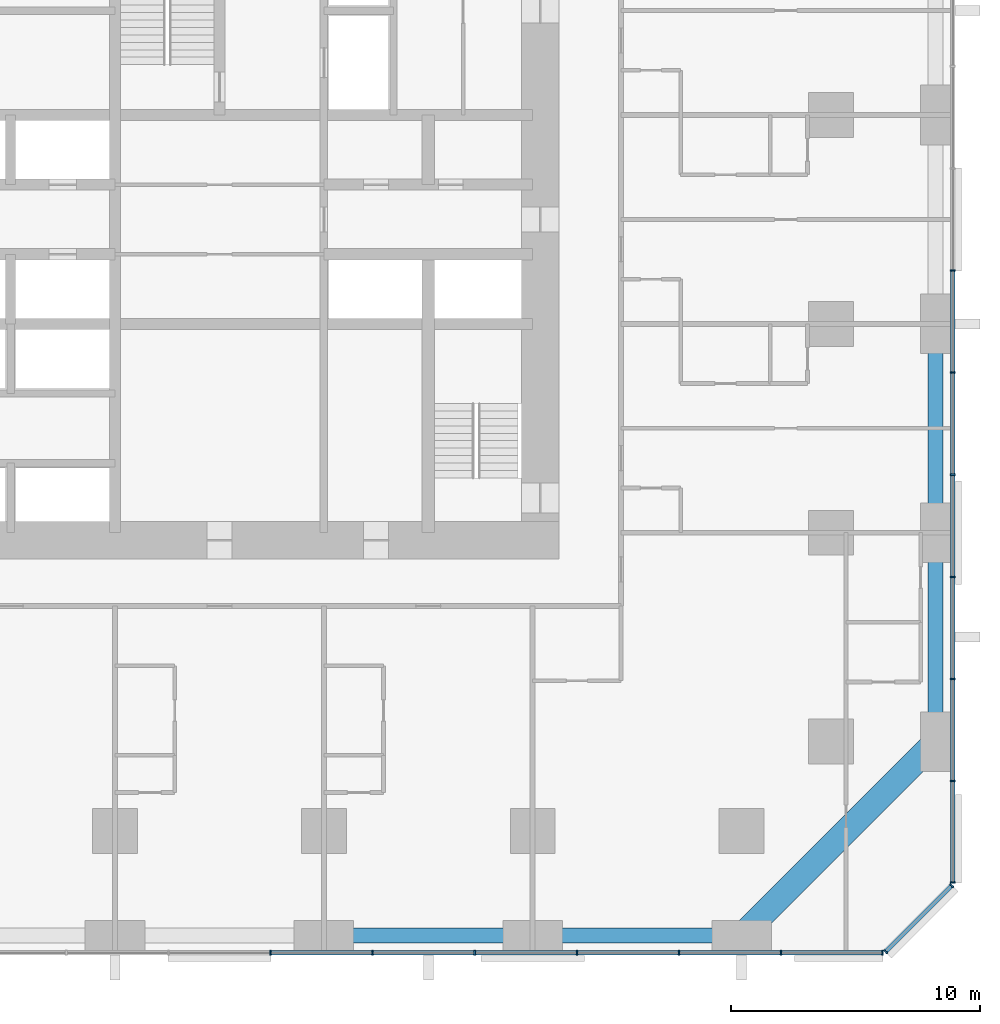
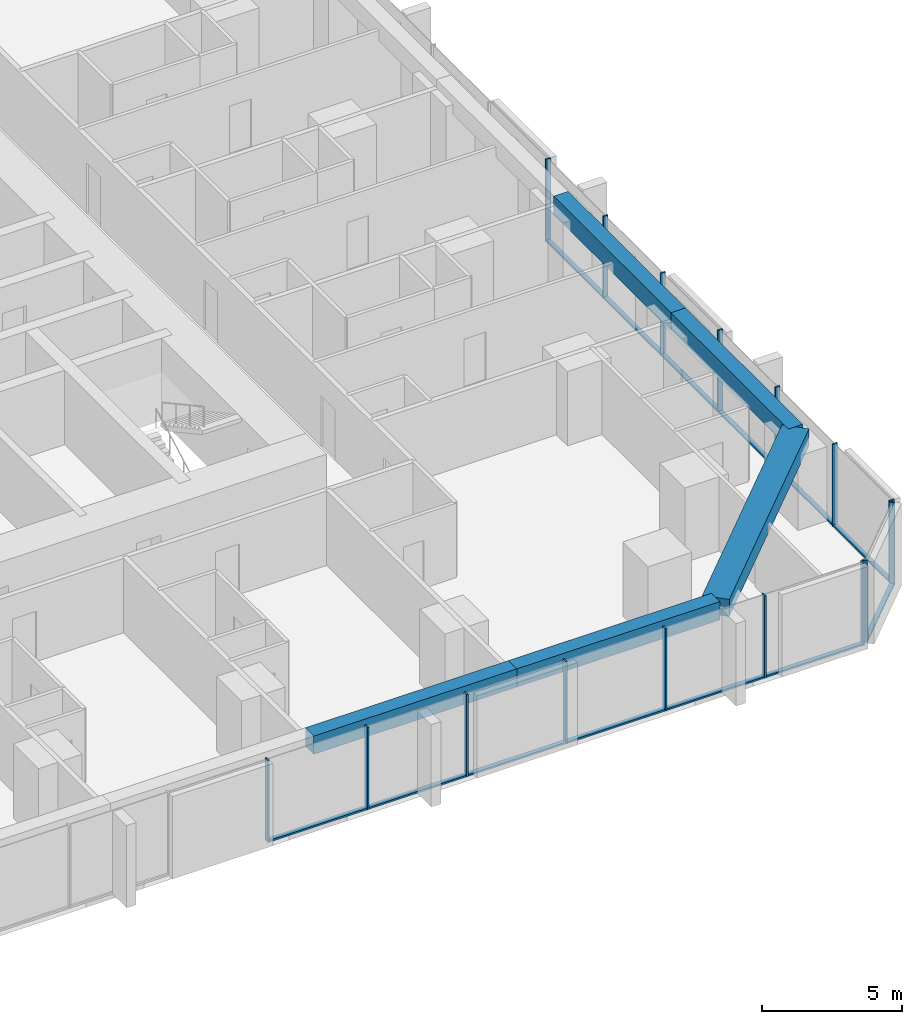
# One storey, part 4 of 17: 29 members, 5 beams, 3 elements without a shape of their own.
"""IFC4 building model written with IfcOpenShell, lengths in metres."""

from ifc_helpers import new_model, si_unit, direction, frame, origin, origin_2d, place, context, subcontext, project, spatial, rectangle, extrude, material, material_profile, profile_set, type_object, element, aggregate, save


model = new_model("IFC4")

# Units and contexts
model_context = context("Model", 3, precision=1e-05, world=origin(), true_north=direction((0.0, 1.0)))
body_context = subcontext(model_context, "Body", "Model", "MODEL_VIEW")
ifc_project = project(units=[si_unit("LENGTHUNIT", "METRE"), si_unit("AREAUNIT", "SQUARE_METRE"), si_unit("VOLUMEUNIT", "CUBIC_METRE"), si_unit("PLANEANGLEUNIT", "RADIAN"), si_unit("MASSUNIT", "GRAM", prefix="KILO")], contexts=[model_context])

# Site, building, storey
site_placement = place(None, origin())
site = spatial("IfcSite", under=ifc_project, at=site_placement, CompositionType="ELEMENT")
building_placement = place(site_placement, origin())
building = spatial("IfcBuilding", under=site, at=building_placement, Name="Dunama Terrace Hotel", CompositionType="ELEMENT")
storey_placement = place(building_placement, frame((0.0, 0.0, 59.39990234375)))
storey = spatial("IfcBuildingStorey", under=building, at=storey_placement, Name="L14", CompositionType="ELEMENT", Elevation=59.39990234375)

# Curtain wall, members
ifc_material_1 = material(Name="Aluminium curtain wall system", Category="aluminium")
curtain_wall_type = type_object("IfcCurtainWallType", Name="Unitised fritted glass wall CW-A", PredefinedType="NOTDEFINED", material=ifc_material_1)
curtain_wall_1_placement = place(storey_placement, origin())
curtain_wall_1 = element("IfcCurtainWall", 1, at=curtain_wall_1_placement, inside=storey, type_object=curtain_wall_type, Name="Unitised fritted glass wall CW-A L14", PredefinedType="NOTDEFINED")
ifc_material_2 = material(Name="Aluminium mullion", Category="aluminium")
ifc_material_profile_1 = material_profile(ifc_material_2, rectangle(XDim=0.06494140625, YDim=0.199951171875, at=origin_2d()), Name="CWA MULLION 65X200")
ifc_profile_set_1 = profile_set([ifc_material_profile_1], Name="Aluminium mullion")
member_type_1 = type_object("IfcMemberType", Name="CWA mullion 65x200", PredefinedType="MULLION", material=ifc_profile_set_1)
member_1_placement = place(storey_placement, frame((31.4541015625, -0.10009765625, 0.0), z_axis=(0.0, 0.0, 1.0), x_axis=(1.0, 0.0, 0.0)))
member_1 = element("IfcMember", 2, at=member_1_placement, type_object=member_type_1, Name="CWA mullion", PredefinedType="MULLION", context=body_context, shape_type="SweptSolid", body=[
    extrude(rectangle(XDim=0.06494140625, YDim=0.199951171875, at=origin_2d()), origin(), (0.0, 0.0, 1.0), 3.60009765625),
])
member_2_placement = place(storey_placement, frame((35.56201171875, -0.10009765625, 0.0), z_axis=(0.0, 0.0, 1.0), x_axis=(1.0, 0.0, 0.0)))
member_2 = element("IfcMember", 3, at=member_2_placement, type_object=member_type_1, Name="CWA mullion", PredefinedType="MULLION", context=body_context, shape_type="SweptSolid", body=[
    extrude(rectangle(XDim=0.06494140625, YDim=0.199951171875, at=origin_2d()), origin(), (0.0, 0.0, 1.0), 3.60009765625),
])
member_3_placement = place(storey_placement, frame((39.6689453125, -0.10009765625, 0.0), z_axis=(0.0, 0.0, 1.0), x_axis=(1.0, 0.0, 0.0)))
member_3 = element("IfcMember", 4, at=member_3_placement, type_object=member_type_1, Name="CWA mullion", PredefinedType="MULLION", context=body_context, shape_type="SweptSolid", body=[
    extrude(rectangle(XDim=0.06494140625, YDim=0.199951171875, at=origin_2d()), origin(), (0.0, 0.0, 1.0), 3.60009765625),
])
member_4_placement = place(storey_placement, frame((43.777099609375, -0.10009765625, 0.0), z_axis=(0.0, 0.0, 1.0), x_axis=(1.0, 0.0, 0.0)))
member_4 = element("IfcMember", 5, at=member_4_placement, type_object=member_type_1, Name="CWA mullion", PredefinedType="MULLION", context=body_context, shape_type="SweptSolid", body=[
    extrude(rectangle(XDim=0.06494140625, YDim=0.199951171875, at=origin_2d()), origin(), (0.0, 0.0, 1.0), 3.60009765625),
])
member_5_placement = place(storey_placement, frame((47.885009765625, -0.10009765625, 0.0), z_axis=(0.0, 0.0, 1.0), x_axis=(1.0, 0.0, 0.0)))
member_5 = element("IfcMember", 6, at=member_5_placement, type_object=member_type_1, Name="CWA mullion", PredefinedType="MULLION", context=body_context, shape_type="SweptSolid", body=[
    extrude(rectangle(XDim=0.06494140625, YDim=0.199951171875, at=origin_2d()), origin(), (0.0, 0.0, 1.0), 3.60009765625),
])
member_6_placement = place(storey_placement, frame((51.991943359375, -0.10009765625, 0.0), z_axis=(0.0, 0.0, 1.0), x_axis=(1.0, 0.0, 0.0)))
member_6 = element("IfcMember", 7, at=member_6_placement, type_object=member_type_1, Name="CWA mullion", PredefinedType="MULLION", context=body_context, shape_type="SweptSolid", body=[
    extrude(rectangle(XDim=0.06494140625, YDim=0.199951171875, at=origin_2d()), origin(), (0.0, 0.0, 1.0), 3.60009765625),
])
member_7_placement = place(storey_placement, frame((56.06689453125, -0.10009765625, 0.0), z_axis=(0.0, 0.0, 1.0), x_axis=(1.0, 0.0, 0.0)))
member_7 = element("IfcMember", 8, at=member_7_placement, type_object=member_type_1, Name="CWA mullion", PredefinedType="MULLION", context=body_context, shape_type="SweptSolid", body=[
    extrude(rectangle(XDim=0.06494140625, YDim=0.199951171875, at=origin_2d()), origin(), (0.0, 0.0, 1.0), 3.60009765625),
])

curtain_wall_2_placement = place(storey_placement, origin())
curtain_wall_2 = element("IfcCurtainWall", 9, at=curtain_wall_2_placement, inside=storey, type_object=curtain_wall_type, Name="Unitised fritted glass wall CW-A L14", PredefinedType="NOTDEFINED")
member_8_placement = place(storey_placement, frame((56.194091796875, -0.048095703125, 0.0), z_axis=(0.0, 0.0, 1.0), x_axis=(0.707106781187, 0.707106781187, 0.0)))
member_8 = element("IfcMember", 10, at=member_8_placement, type_object=member_type_1, Name="CWA mullion", PredefinedType="MULLION", context=body_context, shape_type="SweptSolid", body=[
    extrude(rectangle(XDim=0.06494140625, YDim=0.199951171875, at=origin_2d()), origin(), (0.0, 0.0, 1.0), 3.60009765625),
])
member_9_placement = place(storey_placement, frame((58.847900390625, 2.60595703125, 0.0), z_axis=(0.0, 0.0, 1.0), x_axis=(0.707106781187, 0.707106781187, 0.0)))
member_9 = element("IfcMember", 11, at=member_9_placement, type_object=member_type_1, Name="CWA mullion", PredefinedType="MULLION", context=body_context, shape_type="SweptSolid", body=[
    extrude(rectangle(XDim=0.06494140625, YDim=0.199951171875, at=origin_2d()), origin(), (0.0, 0.0, 1.0), 3.60009765625),
])

curtain_wall_3_placement = place(storey_placement, origin())
curtain_wall_3 = element("IfcCurtainWall", 12, at=curtain_wall_3_placement, inside=storey, type_object=curtain_wall_type, Name="Unitised fritted glass wall CW-A L14", PredefinedType="NOTDEFINED")
member_10_placement = place(storey_placement, frame((58.89990234375, 2.73291015625, 0.0), z_axis=(0.0, 0.0, 1.0), x_axis=(0.0, 1.0, 0.0)))
member_10 = element("IfcMember", 13, at=member_10_placement, type_object=member_type_1, Name="CWA mullion", PredefinedType="MULLION", context=body_context, shape_type="SweptSolid", body=[
    extrude(rectangle(XDim=0.06494140625, YDim=0.199951171875, at=origin_2d()), origin(), (0.0, 0.0, 1.0), 3.60009765625),
])
member_11_placement = place(storey_placement, frame((58.89990234375, 6.80810546875, 0.0), z_axis=(0.0, 0.0, 1.0), x_axis=(0.0, 1.0, 0.0)))
member_11 = element("IfcMember", 14, at=member_11_placement, type_object=member_type_1, Name="CWA mullion", PredefinedType="MULLION", context=body_context, shape_type="SweptSolid", body=[
    extrude(rectangle(XDim=0.06494140625, YDim=0.199951171875, at=origin_2d()), origin(), (0.0, 0.0, 1.0), 3.60009765625),
])
member_12_placement = place(storey_placement, frame((58.89990234375, 10.9150390625, 0.0), z_axis=(0.0, 0.0, 1.0), x_axis=(0.0, 1.0, 0.0)))
member_12 = element("IfcMember", 15, at=member_12_placement, type_object=member_type_1, Name="CWA mullion", PredefinedType="MULLION", context=body_context, shape_type="SweptSolid", body=[
    extrude(rectangle(XDim=0.06494140625, YDim=0.199951171875, at=origin_2d()), origin(), (0.0, 0.0, 1.0), 3.60009765625),
])
member_13_placement = place(storey_placement, frame((58.89990234375, 15.02294921875, 0.0), z_axis=(0.0, 0.0, 1.0), x_axis=(0.0, 1.0, 0.0)))
member_13 = element("IfcMember", 16, at=member_13_placement, type_object=member_type_1, Name="CWA mullion", PredefinedType="MULLION", context=body_context, shape_type="SweptSolid", body=[
    extrude(rectangle(XDim=0.06494140625, YDim=0.199951171875, at=origin_2d()), origin(), (0.0, 0.0, 1.0), 3.60009765625),
])
member_14_placement = place(storey_placement, frame((58.89990234375, 19.131103515625, 0.0), z_axis=(0.0, 0.0, 1.0), x_axis=(0.0, 1.0, 0.0)))
member_14 = element("IfcMember", 17, at=member_14_placement, type_object=member_type_1, Name="CWA mullion", PredefinedType="MULLION", context=body_context, shape_type="SweptSolid", body=[
    extrude(rectangle(XDim=0.06494140625, YDim=0.199951171875, at=origin_2d()), origin(), (0.0, 0.0, 1.0), 3.60009765625),
])
member_15_placement = place(storey_placement, frame((58.89990234375, 23.238037109375, 0.0), z_axis=(0.0, 0.0, 1.0), x_axis=(0.0, 1.0, 0.0)))
member_15 = element("IfcMember", 18, at=member_15_placement, type_object=member_type_1, Name="CWA mullion", PredefinedType="MULLION", context=body_context, shape_type="SweptSolid", body=[
    extrude(rectangle(XDim=0.06494140625, YDim=0.199951171875, at=origin_2d()), origin(), (0.0, 0.0, 1.0), 3.60009765625),
])
member_16_placement = place(storey_placement, frame((58.89990234375, 27.345947265625, 0.0), z_axis=(0.0, 0.0, 1.0), x_axis=(0.0, 1.0, 0.0)))
member_16 = element("IfcMember", 19, at=member_16_placement, type_object=member_type_1, Name="CWA mullion", PredefinedType="MULLION", context=body_context, shape_type="SweptSolid", body=[
    extrude(rectangle(XDim=0.06494140625, YDim=0.199951171875, at=origin_2d()), origin(), (0.0, 0.0, 1.0), 3.60009765625),
])

# Member
ifc_material_3 = material(Name="Aluminium transom", Category="aluminium")
ifc_material_profile_2 = material_profile(ifc_material_3, rectangle(XDim=0.179931640625, YDim=0.074951171875, at=origin_2d()), Name="CWA TRANSOM 180X75")
ifc_profile_set_2 = profile_set([ifc_material_profile_2], Name="Aluminium transom")
member_type_2 = type_object("IfcMemberType", Name="CWA transom 180x75", PredefinedType="USERDEFINED", material=ifc_profile_set_2)
member_17_placement = place(storey_placement, frame((31.486083984375, -0.10009765625, 0.03759765625), z_axis=(1.0, 0.0, 0.0), x_axis=(0.0, 1.0, 0.0)))
member_17 = element("IfcMember", 20, at=member_17_placement, type_object=member_type_2, Name="CWA transom", ObjectType="TRANSOM", PredefinedType="USERDEFINED", context=body_context, shape_type="SweptSolid", body=[
    extrude(rectangle(XDim=0.179931640625, YDim=0.074951171875, at=origin_2d()), origin(), (0.0, 0.0, 1.0), 4.04296875),
])

member_18_placement = place(storey_placement, frame((35.593994140625, -0.10009765625, 0.03759765625), z_axis=(1.0, 0.0, 0.0), x_axis=(0.0, 1.0, 0.0)))
member_18 = element("IfcMember", 21, at=member_18_placement, type_object=member_type_2, Name="CWA transom", ObjectType="TRANSOM", PredefinedType="USERDEFINED", context=body_context, shape_type="SweptSolid", body=[
    extrude(rectangle(XDim=0.179931640625, YDim=0.074951171875, at=origin_2d()), origin(), (0.0, 0.0, 1.0), 4.04296875),
])

member_19_placement = place(storey_placement, frame((39.701904296875, -0.10009765625, 0.03759765625), z_axis=(1.0, 0.0, 0.0), x_axis=(0.0, 1.0, 0.0)))
member_19 = element("IfcMember", 22, at=member_19_placement, type_object=member_type_2, Name="CWA transom", ObjectType="TRANSOM", PredefinedType="USERDEFINED", context=body_context, shape_type="SweptSolid", body=[
    extrude(rectangle(XDim=0.179931640625, YDim=0.074951171875, at=origin_2d()), origin(), (0.0, 0.0, 1.0), 4.0419921875),
])

member_20_placement = place(storey_placement, frame((43.80908203125, -0.10009765625, 0.03759765625), z_axis=(1.0, 0.0, 0.0), x_axis=(0.0, 1.0, 0.0)))
member_20 = element("IfcMember", 23, at=member_20_placement, type_object=member_type_2, Name="CWA transom", ObjectType="TRANSOM", PredefinedType="USERDEFINED", context=body_context, shape_type="SweptSolid", body=[
    extrude(rectangle(XDim=0.179931640625, YDim=0.074951171875, at=origin_2d()), origin(), (0.0, 0.0, 1.0), 4.04296875),
])

member_21_placement = place(storey_placement, frame((47.9169921875, -0.10009765625, 0.03759765625), z_axis=(1.0, 0.0, 0.0), x_axis=(0.0, 1.0, 0.0)))
member_21 = element("IfcMember", 24, at=member_21_placement, type_object=member_type_2, Name="CWA transom", ObjectType="TRANSOM", PredefinedType="USERDEFINED", context=body_context, shape_type="SweptSolid", body=[
    extrude(rectangle(XDim=0.179931640625, YDim=0.074951171875, at=origin_2d()), origin(), (0.0, 0.0, 1.0), 4.04296875),
])

member_22_placement = place(storey_placement, frame((52.02490234375, -0.10009765625, 0.03759765625), z_axis=(1.0, 0.0, 0.0), x_axis=(0.0, 1.0, 0.0)))
member_22 = element("IfcMember", 25, at=member_22_placement, type_object=member_type_2, Name="CWA transom", ObjectType="TRANSOM", PredefinedType="USERDEFINED", context=body_context, shape_type="SweptSolid", body=[
    extrude(rectangle(XDim=0.179931640625, YDim=0.074951171875, at=origin_2d()), origin(), (0.0, 0.0, 1.0), 4.010009765625),
])

aggregate(curtain_wall_1, [member_1, member_2, member_3, member_4, member_5, member_6, member_7, member_17, member_18, member_19, member_20, member_21, member_22])

member_23_placement = place(storey_placement, frame((56.217041015625, -0.02490234375, 0.03759765625), z_axis=(0.707106781187, 0.707106781187, 0.0), x_axis=(-0.707106781187, 0.707106781187, 0.0)))
member_23 = element("IfcMember", 26, at=member_23_placement, type_object=member_type_2, Name="CWA transom", ObjectType="TRANSOM", PredefinedType="USERDEFINED", context=body_context, shape_type="SweptSolid", body=[
    extrude(rectangle(XDim=0.179931640625, YDim=0.074951171875, at=origin_2d()), origin(), (0.0, 0.0, 1.0), 3.688232421875),
])

aggregate(curtain_wall_2, [member_8, member_9, member_23])

member_24_placement = place(storey_placement, frame((58.89990234375, 2.764892578125, 0.03759765625), z_axis=(0.0, 1.0, 0.0), x_axis=(-1.0, 0.0, 0.0)))
member_24 = element("IfcMember", 27, at=member_24_placement, type_object=member_type_2, Name="CWA transom", ObjectType="TRANSOM", PredefinedType="USERDEFINED", context=body_context, shape_type="SweptSolid", body=[
    extrude(rectangle(XDim=0.179931640625, YDim=0.074951171875, at=origin_2d()), origin(), (0.0, 0.0, 1.0), 4.010009765625),
])

member_25_placement = place(storey_placement, frame((58.89990234375, 6.840087890625, 0.03759765625), z_axis=(0.0, 1.0, 0.0), x_axis=(-1.0, 0.0, 0.0)))
member_25 = element("IfcMember", 28, at=member_25_placement, type_object=member_type_2, Name="CWA transom", ObjectType="TRANSOM", PredefinedType="USERDEFINED", context=body_context, shape_type="SweptSolid", body=[
    extrude(rectangle(XDim=0.179931640625, YDim=0.074951171875, at=origin_2d()), origin(), (0.0, 0.0, 1.0), 4.04296875),
])

member_26_placement = place(storey_placement, frame((58.89990234375, 10.947998046875, 0.03759765625), z_axis=(0.0, 1.0, 0.0), x_axis=(-1.0, 0.0, 0.0)))
member_26 = element("IfcMember", 29, at=member_26_placement, type_object=member_type_2, Name="CWA transom", ObjectType="TRANSOM", PredefinedType="USERDEFINED", context=body_context, shape_type="SweptSolid", body=[
    extrude(rectangle(XDim=0.179931640625, YDim=0.074951171875, at=origin_2d()), origin(), (0.0, 0.0, 1.0), 4.04296875),
])

member_27_placement = place(storey_placement, frame((58.89990234375, 15.055908203125, 0.03759765625), z_axis=(0.0, 1.0, 0.0), x_axis=(-1.0, 0.0, 0.0)))
member_27 = element("IfcMember", 30, at=member_27_placement, type_object=member_type_2, Name="CWA transom", ObjectType="TRANSOM", PredefinedType="USERDEFINED", context=body_context, shape_type="SweptSolid", body=[
    extrude(rectangle(XDim=0.179931640625, YDim=0.074951171875, at=origin_2d()), origin(), (0.0, 0.0, 1.0), 4.0419921875),
])

member_28_placement = place(storey_placement, frame((58.89990234375, 19.1630859375, 0.03759765625), z_axis=(0.0, 1.0, 0.0), x_axis=(-1.0, 0.0, 0.0)))
member_28 = element("IfcMember", 31, at=member_28_placement, type_object=member_type_2, Name="CWA transom", ObjectType="TRANSOM", PredefinedType="USERDEFINED", context=body_context, shape_type="SweptSolid", body=[
    extrude(rectangle(XDim=0.179931640625, YDim=0.074951171875, at=origin_2d()), origin(), (0.0, 0.0, 1.0), 4.04296875),
])

member_29_placement = place(storey_placement, frame((58.89990234375, 23.27099609375, 0.03759765625), z_axis=(0.0, 1.0, 0.0), x_axis=(-1.0, 0.0, 0.0)))
member_29 = element("IfcMember", 32, at=member_29_placement, type_object=member_type_2, Name="CWA transom", ObjectType="TRANSOM", PredefinedType="USERDEFINED", context=body_context, shape_type="SweptSolid", body=[
    extrude(rectangle(XDim=0.179931640625, YDim=0.074951171875, at=origin_2d()), origin(), (0.0, 0.0, 1.0), 4.04296875),
])

aggregate(curtain_wall_3, [member_10, member_11, member_12, member_13, member_14, member_15, member_16, member_24, member_25, member_26, member_27, member_28, member_29])

# Beams
ifc_material_4 = material(Name="Concrete C50/60", Category="concrete")
ifc_material_profile_3 = material_profile(ifc_material_4, rectangle(XDim=1.0, YDim=0.75, at=origin_2d()), Name="RC 1000x750")
ifc_profile_set_3 = profile_set([ifc_material_profile_3], Name="Concrete C50/60")
beam_type_1 = type_object("IfcBeamType", Name="Edge beam RC 1000x750", PredefinedType="SPANDREL", material=ifc_profile_set_3)
beam_1_placement = place(storey_placement, frame((50.39990234375, 0.60009765625, 3.22509765625), z_axis=(0.707117847453, 0.707095714747, 0.0), x_axis=(-0.707095714747, 0.707117847453, 0.0)))
element("IfcBeam", 33, at=beam_1_placement, inside=storey, type_object=beam_type_1, Name="Corner edge beam under L15", PredefinedType="SPANDREL", context=body_context, shape_type="SweptSolid", body=[
    extrude(rectangle(XDim=1.0, YDim=0.75, at=origin_2d()), origin(), (0.0, 0.0, 1.0), 11.03076171875),
])
ifc_material_5 = material(Name="Concrete C40/50", Category="concrete")
ifc_material_profile_4 = material_profile(ifc_material_5, rectangle(XDim=0.60009765625, YDim=0.800048828125, at=origin_2d()), Name="RC 600x800")
ifc_profile_set_4 = profile_set([ifc_material_profile_4], Name="Concrete C40/50")
beam_type_2 = type_object("IfcBeamType", Name="Edge beam RC 600x800", PredefinedType="SPANDREL", material=ifc_profile_set_4)
beam_2_placement = place(storey_placement, frame((58.199951171875, 8.39990234375, 3.2001953125), z_axis=(0.0, 1.0, 0.0), x_axis=(-1.0, 0.0, 0.0)))
element("IfcBeam", 34, at=beam_2_placement, inside=storey, type_object=beam_type_2, Name="Edge beam under L15", PredefinedType="SPANDREL", context=body_context, shape_type="SweptSolid", body=[
    extrude(rectangle(XDim=0.60009765625, YDim=0.800048828125, at=origin_2d()), origin(), (0.0, 0.0, 1.0), 8.400146484375),
])
for number, where, z_axis, x_axis, name in (
    (35, (58.199951171875, 16.800048828125, 3.2001953125), (0.0, 1.0, 0.0), (-1.0, 0.0, 0.0), "Edge beam under L15"),
    (36, (33.60009765625, 0.60009765625, 3.2001953125), (1.0, 0.0, 0.0), (0.0, 1.0, 0.0), "Edge beam under L15"),
    (37, (42.0, 0.60009765625, 3.2001953125), (1.0, 0.0, 0.0), (0.0, 1.0, 0.0), "Edge beam under L15"),
):
    element("IfcBeam", number, at=place(storey_placement, frame(where, z_axis=z_axis, x_axis=x_axis)), inside=storey, type_object=beam_type_2, Name=name, PredefinedType="SPANDREL", context=body_context, shape_type="SweptSolid", body=[
        extrude(rectangle(XDim=0.60009765625, YDim=0.800048828125, at=origin_2d()), origin(), (0.0, 0.0, 1.0), 8.39990234375),
    ])

save(model, "model.ifc")
